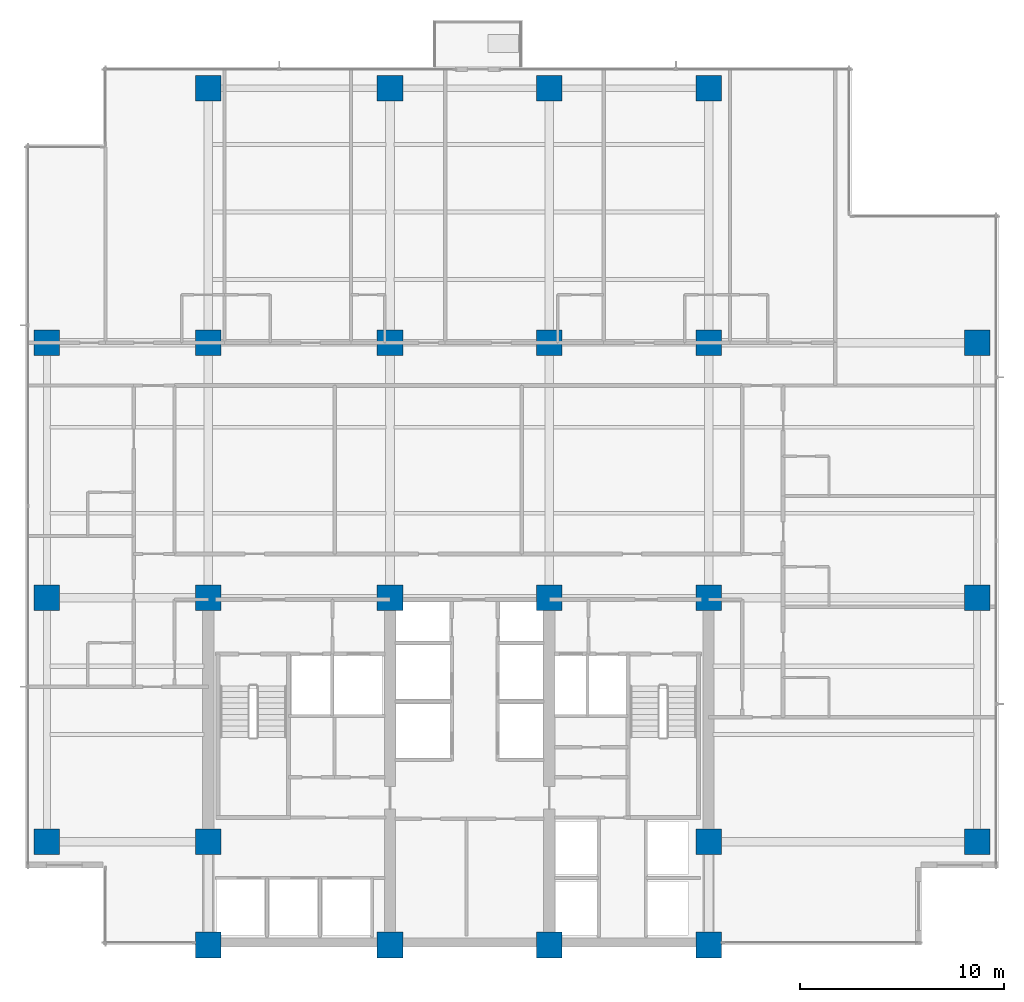
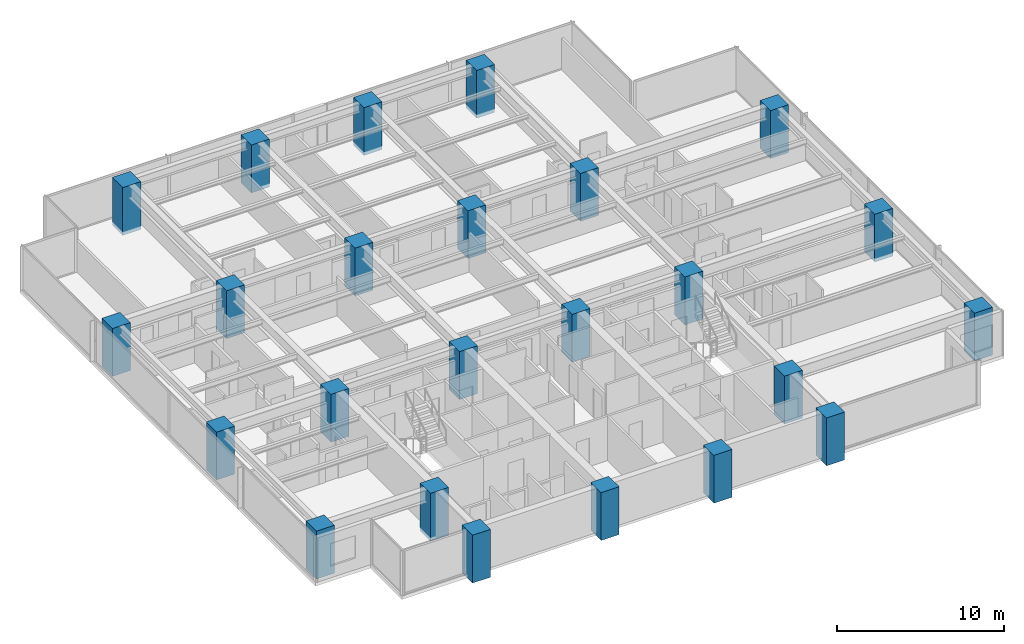
# One storey, part 1 of 17: 24 columns.
"""IFC4 building model written with IfcOpenShell, lengths in metres."""

import ifcopenshell
import ifcopenshell.guid

model = None  # the IFC model being written
_history = None  # IfcOwnerHistory: only IFC2X3 demands one
_inside = {}  # id of a spatial element -> (the spatial element, [elements in it])
_under = {}  # id of a project, library or spatial element -> (it, [spatial elements below it])
_declared = {}  # id of a project -> (the project, [libraries it declares])
_typed = {}  # id of a type object -> (the type object, [elements of that type])
_made_of = {}  # id of a material, layer set ... -> (it, [elements and type objects made of it])


def new_model(schema):
    """Start an empty IFC model of exactly this schema.

    Asked for "IFC4X3", IfcOpenShell would pick the latest addendum, in which some entities
    have other attributes; the version numbers below select the first issue.
    IFC2X3 requires an IfcOwnerHistory on every rooted entity: one is made here for all.
    """
    global model, _history
    if schema == "IFC4X3":
        model = ifcopenshell.file(schema_version=(4, 3, 0, 0))
    else:
        model = ifcopenshell.file(schema=schema)
    _inside.clear()
    _under.clear()
    _declared.clear()
    _typed.clear()
    _made_of.clear()
    _history = None
    if model.schema == "IFC2X3":
        org = make("IfcOrganization", Name="unknown")
        user = make(
            "IfcPersonAndOrganization",
            ThePerson=make("IfcPerson", FamilyName="unknown"),
            TheOrganization=org,
        )
        app = make(
            "IfcApplication",
            ApplicationDeveloper=org,
            Version="unknown",
            ApplicationFullName="unknown",
            ApplicationIdentifier="unknown",
        )
        _history = make(
            "IfcOwnerHistory",
            OwningUser=user,
            OwningApplication=app,
            ChangeAction="ADDED",
            CreationDate=0,
        )
    return model


def make(cls, **values):
    """One entity of the class cls with the attributes given. An attribute that is None is left unset."""
    return model.create_entity(
        cls, **{name: value for name, value in values.items() if value is not None}
    )


def rooted(cls, **values):
    """An entity with a GlobalId (a new one), such as an element, a storey or a relation."""
    return make(cls, GlobalId=ifcopenshell.guid.new(), OwnerHistory=_history, **values)


def si_unit(unit_type, name, prefix=None):
    """IfcSIUnit, for example si_unit("LENGTHUNIT", "METRE", prefix="MILLI")."""
    return make("IfcSIUnit", UnitType=unit_type, Prefix=prefix, Name=name)


def assignment(units):
    """IfcUnitAssignment: the units of a project."""
    return None if units is None else make("IfcUnitAssignment", Units=units)


def point(xyz):
    """IfcCartesianPoint."""
    return None if xyz is None else make("IfcCartesianPoint", Coordinates=xyz)


def direction(xyz):
    """IfcDirection."""
    return None if xyz is None else make("IfcDirection", DirectionRatios=xyz)


def frame(location, z_axis=None, x_axis=None):
    """IfcAxis2Placement3D, a coordinate frame: its origin and axes. An axis left out is left unset."""
    return make(
        "IfcAxis2Placement3D",
        Location=point(location),
        Axis=direction(z_axis),
        RefDirection=direction(x_axis),
    )


def frame_2d(location, x_axis=None):
    """IfcAxis2Placement2D, a coordinate frame in the plane: its origin and x axis."""
    return make(
        "IfcAxis2Placement2D", Location=point(location), RefDirection=direction(x_axis)
    )


def origin():
    """The frame at (0, 0, 0) with its axes left unset."""
    return frame((0.0, 0.0, 0.0))


def origin_2d():
    """The frame at (0, 0) in the plane with its x axis left unset."""
    return frame_2d((0.0, 0.0))


def place(relative_to, where):
    """IfcLocalPlacement: puts the frame where relative to a parent placement (None: the world)."""
    return make(
        "IfcLocalPlacement", PlacementRelTo=relative_to, RelativePlacement=where
    )


def context(
    kind, dimensions, precision=None, world=None, true_north=None, identifier=None
):
    """IfcGeometricRepresentationContext, for example the 3D "Model" context."""
    return make(
        "IfcGeometricRepresentationContext",
        ContextIdentifier=identifier,
        ContextType=kind,
        CoordinateSpaceDimension=dimensions,
        Precision=precision,
        WorldCoordinateSystem=world,
        TrueNorth=true_north,
    )


def subcontext(parent, identifier, kind, view, scale=None):
    """IfcGeometricRepresentationSubContext, for example "Body" below "Model"."""
    return make(
        "IfcGeometricRepresentationSubContext",
        ContextIdentifier=identifier,
        ContextType=kind,
        ParentContext=parent,
        TargetScale=scale,
        TargetView=view,
    )


def project(units=None, contexts=None):
    """IfcProject with its units and contexts."""
    return rooted(
        "IfcProject",
        Name="project",
        RepresentationContexts=contexts,
        UnitsInContext=assignment(units),
    )


def spatial(cls, under=None, at=None, **own):
    """A site, building, storey or space (cls), placed at a placement, below another one or the project."""
    s = rooted(cls, ObjectPlacement=at, **own)
    if under is not None:
        _under.setdefault(under.id(), (under, []))[1].append(s)
    return s


def profile(cls, at=None, kind="AREA", **sizes):
    """A parametric profile (cls). Its sizes go by their IFC names, for example OverallWidth=200.0."""
    return make(cls, ProfileType=kind, Position=at, **sizes)


def rectangle(**sizes):
    """IfcRectangleProfileDef."""
    return profile("IfcRectangleProfileDef", **sizes)


def extrude(swept, where, along, depth):
    """IfcExtrudedAreaSolid: the profile swept, set in the frame where, extruded along a direction by depth."""
    return make(
        "IfcExtrudedAreaSolid",
        SweptArea=swept,
        Position=where,
        ExtrudedDirection=direction(along),
        Depth=depth,
    )


def shape(context_of_items, identifier, shape_type, items):
    """IfcShapeRepresentation: the items that make up one representation, for example the "Body"."""
    return make(
        "IfcShapeRepresentation",
        ContextOfItems=context_of_items,
        RepresentationIdentifier=identifier,
        RepresentationType=shape_type,
        Items=items,
    )


def material(Name=None, Category=None):
    """IfcMaterial."""
    return make("IfcMaterial", Name=Name, Category=Category)


def material_profile(
    of_material, cross_section, Name=None, Category=None, Priority=None
):
    """IfcMaterialProfile: a cross section and its material."""
    return make(
        "IfcMaterialProfile",
        Name=Name,
        Material=of_material,
        Profile=cross_section,
        Priority=Priority,
        Category=Category,
    )


def profile_set(profiles, Name=None, composite=None):
    """IfcMaterialProfileSet."""
    return make(
        "IfcMaterialProfileSet",
        Name=Name,
        MaterialProfiles=profiles,
        CompositeProfile=composite,
    )


def made_of(thing, what):
    """Note that an element or type object is made of a material, layer set ...; save() writes the relation."""
    if what is not None:
        _made_of.setdefault(what.id(), (what, []))[1].append(thing)
    return thing


def type_object(cls, material=None, **own):
    """A type object (cls), such as IfcWallType, which elements share."""
    return made_of(rooted(cls, **own), material)


def element(
    cls,
    number,
    at=None,
    inside=None,
    cuts=None,
    type_object=None,
    material=None,
    context=None,
    identifier="Body",
    shape_type=None,
    held_by="IfcProductDefinitionShape",
    body=None,
    shapes=None,
    **own,
):
    """One element of the class cls, such as IfcWall. Its Tag is "e" and its number.

    at: its placement. inside: the storey or other place that contains it. cuts: it is an
    opening in that element (IfcRelVoidsElement). A single representation is given by context,
    identifier, shape_type and body (its items); several are given by shapes. held_by: the class
    of the entity that holds the representations. save() writes the other relations.
    """
    e = rooted(cls, Tag="e%d" % number, ObjectPlacement=at, **own)
    if body is not None:
        shapes = [shape(context, identifier, shape_type, body)]
    if shapes is not None:
        e.Representation = make(held_by, Representations=shapes)
    if inside is not None:
        _inside.setdefault(inside.id(), (inside, []))[1].append(e)
    if cuts is not None:
        rooted(
            "IfcRelVoidsElement", RelatingBuildingElement=cuts, RelatedOpeningElement=e
        )
    if type_object is not None:
        _typed.setdefault(type_object.id(), (type_object, []))[1].append(e)
    return made_of(e, material)


def aggregate(whole, parts):
    """IfcRelAggregates: a whole, such as a stair, and the parts it consists of."""
    return rooted("IfcRelAggregates", RelatingObject=whole, RelatedObjects=parts)


def save(model, path):
    """Write the relations noted so far, then the file.

    IfcRelAggregates (storeys below a building ...), IfcRelContainedInSpatialStructure (elements
    in a storey), IfcRelDefinesByType, IfcRelAssociatesMaterial and IfcRelDeclares: one each for
    every whole, place, type object, material and project.
    """
    for whole, parts in _under.values():
        aggregate(whole, parts)
    for where, things in _inside.values():
        rooted(
            "IfcRelContainedInSpatialStructure",
            RelatedElements=things,
            RelatingStructure=where,
        )
    for kind, things in _typed.values():
        rooted("IfcRelDefinesByType", RelatedObjects=things, RelatingType=kind)
    for what, things in _made_of.values():
        rooted("IfcRelAssociatesMaterial", RelatedObjects=things, RelatingMaterial=what)
    for by, libraries in _declared.values():
        rooted("IfcRelDeclares", RelatingContext=by, RelatedDefinitions=libraries)
    model.write(path)


model = new_model("IFC4")

# Units and contexts
model_context = context("Model", 3, precision=1e-05, world=origin(), true_north=direction((0.0, 1.0)))
body_context = subcontext(model_context, "Body", "Model", "MODEL_VIEW")
ifc_project = project(units=[si_unit("LENGTHUNIT", "METRE"), si_unit("AREAUNIT", "SQUARE_METRE"), si_unit("VOLUMEUNIT", "CUBIC_METRE"), si_unit("PLANEANGLEUNIT", "RADIAN"), si_unit("MASSUNIT", "GRAM", prefix="KILO")], contexts=[model_context])

# Site, building, storey
site_placement = place(None, origin())
site = spatial("IfcSite", under=ifc_project, at=site_placement, CompositionType="ELEMENT")
building_placement = place(site_placement, origin())
building = spatial("IfcBuilding", under=site, at=building_placement, Name="Qalmaran Belvedere Hotel", CompositionType="ELEMENT")
storey_placement = place(building_placement, frame((0.0, 0.0, 109.199951171875)))
storey = spatial("IfcBuildingStorey", under=building, at=storey_placement, Name="L27", CompositionType="ELEMENT", Elevation=109.199951171875)

# Columns
ifc_material = material(Name="Concrete C60/75", Category="concrete")
ifc_material_profile = material_profile(ifc_material, rectangle(XDim=1.25, YDim=1.25, at=origin_2d()), Name="CC1250X1250")
ifc_profile_set = profile_set([ifc_material_profile], Name="Concrete C60/75")
column_type = type_object("IfcColumnType", Name="COL-Z2-CC1250", PredefinedType="COLUMN", material=ifc_profile_set)
for number, where, z_axis, x_axis, name in (
    (1, (20.300048828125, 3.5, -0.260009765625), (0.0, 0.0, 1.0), (1.0, 0.0, 0.0), "L27 Column C4B"),
    (2, (29.199951171875, 3.5, -0.260009765625), (0.0, 0.0, 1.0), (1.0, 0.0, 0.0), "L27 Column C5B"),
    (3, (37.0, 3.5, -0.260009765625), (0.0, 0.0, 1.0), (1.0, 0.0, 0.0), "L27 Column C6B"),
    (4, (44.800048828125, 3.5, -0.260009765625), (0.0, 0.0, 1.0), (1.0, 0.0, 0.0), "L27 Column C7B"),
    (5, (20.300048828125, 8.550048828125, -0.260009765625), (0.0, 0.0, 1.0), (1.0, 0.0, 0.0), "L27 Column C4C"),
    (6, (44.800048828125, 8.550048828125, -0.260009765625), (0.0, 0.0, 1.0), (1.0, 0.0, 0.0), "L27 Column C7C"),
    (7, (20.300048828125, 20.5, -0.260009765625), (0.0, 0.0, 1.0), (1.0, 0.0, 0.0), "L27 Column C4D"),
    (8, (29.199951171875, 20.5, -0.260009765625), (0.0, 0.0, 1.0), (1.0, 0.0, 0.0), "L27 Column C5D"),
    (9, (37.0, 20.5, -0.260009765625), (0.0, 0.0, 1.0), (1.0, 0.0, 0.0), "L27 Column C6D"),
    (10, (44.800048828125, 20.5, -0.260009765625), (0.0, 0.0, 1.0), (1.0, 0.0, 0.0), "L27 Column C7D"),
    (11, (20.300048828125, 33.0, -0.260009765625), (0.0, 0.0, 1.0), (1.0, 0.0, 0.0), "L27 Column C4F"),
    (12, (29.199951171875, 33.0, -0.260009765625), (0.0, 0.0, 1.0), (1.0, 0.0, 0.0), "L27 Column C5F"),
    (13, (37.0, 33.0, -0.260009765625), (0.0, 0.0, 1.0), (1.0, 0.0, 0.0), "L27 Column C6F"),
    (14, (44.800048828125, 33.0, -0.260009765625), (0.0, 0.0, 1.0), (1.0, 0.0, 0.0), "L27 Column C7F"),
    (15, (12.39990234375, 8.550048828125, -0.260009765625), (0.0, 0.0, 1.0), (1.0, 0.0, 0.0), "L27 Column CW1"),
    (16, (12.39990234375, 20.5, -0.260009765625), (0.0, 0.0, 1.0), (1.0, 0.0, 0.0), "L27 Column CW3"),
    (17, (12.39990234375, 33.0, -0.260009765625), (0.0, 0.0, 1.0), (1.0, 0.0, 0.0), "L27 Column CW4"),
    (18, (57.949951171875, 8.550048828125, -0.260009765625), (0.0, 0.0, 1.0), (1.0, 0.0, 0.0), "L27 Column CE1"),
    (19, (57.949951171875, 20.5, -0.260009765625), (0.0, 0.0, 1.0), (1.0, 0.0, 0.0), "L27 Column CE3"),
    (20, (57.949951171875, 33.0, -0.260009765625), (0.0, 0.0, 1.0), (1.0, 0.0, 0.0), "L27 Column CE4"),
    (21, (20.300048828125, 45.449951171875, -0.260009765625), (0.0, 0.0, 1.0), (1.0, 0.0, 0.0), "L27 Column CN1"),
    (22, (29.199951171875, 45.449951171875, -0.260009765625), (0.0, 0.0, 1.0), (1.0, 0.0, 0.0), "L27 Column CN2"),
    (23, (37.0, 45.449951171875, -0.260009765625), (0.0, 0.0, 1.0), (1.0, 0.0, 0.0), "L27 Column CN3"),
    (24, (44.800048828125, 45.449951171875, -0.260009765625), (0.0, 0.0, 1.0), (1.0, 0.0, 0.0), "L27 Column CN4"),
):
    element("IfcColumn", number, at=place(storey_placement, frame(where, z_axis=z_axis, x_axis=x_axis)), inside=storey, type_object=column_type, Name=name, PredefinedType="COLUMN", context=body_context, shape_type="SweptSolid", body=[
        extrude(rectangle(XDim=1.25, YDim=1.25, at=origin_2d()), origin(), (0.0, 0.0, 1.0), 3.5),
    ])

save(model, "model.ifc")
